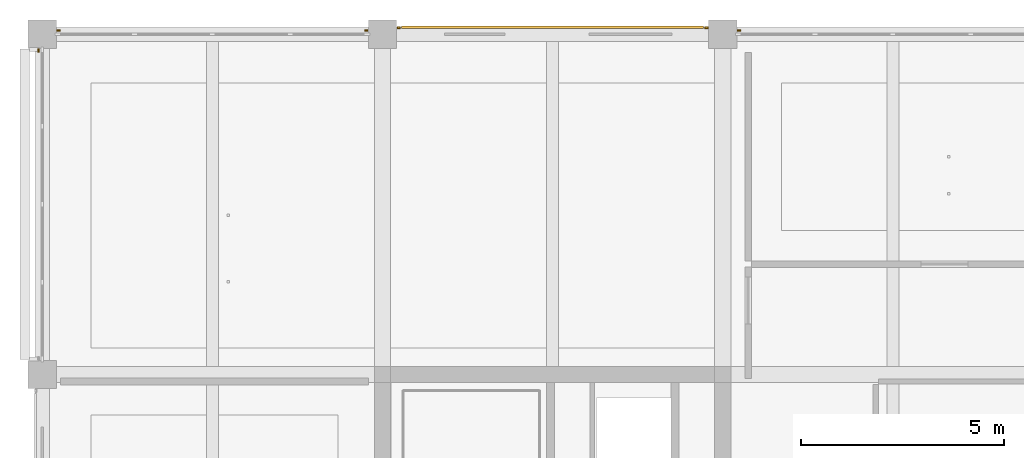
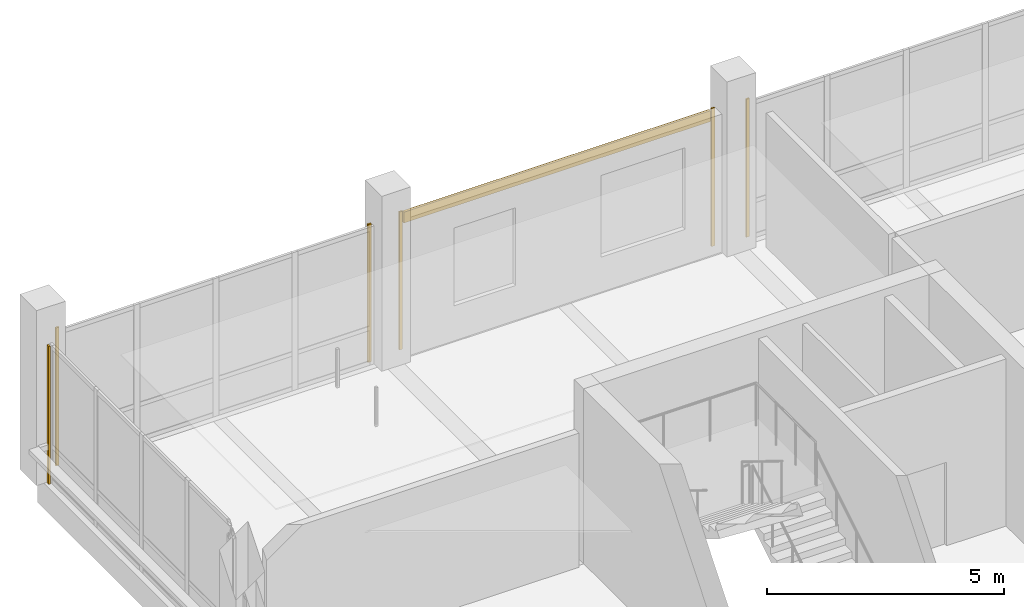
# One storey, part 30 of 32: 7 coverings.
"""IFC4 building model written with IfcOpenShell, lengths in metres."""

from ifc_helpers import new_model, si_unit, direction, frame, origin, origin_2d, place, context, subcontext, project, spatial, rectangle, extrude, material, layer, layer_set, type_object, element, save


model = new_model("IFC4")

# Units and contexts
model_context = context("Model", 3, precision=1e-05, world=origin(), true_north=direction((0.0, 1.0)))
body_context = subcontext(model_context, "Body", "Model", "MODEL_VIEW")
ifc_project = project(units=[si_unit("LENGTHUNIT", "METRE"), si_unit("AREAUNIT", "SQUARE_METRE"), si_unit("VOLUMEUNIT", "CUBIC_METRE"), si_unit("PLANEANGLEUNIT", "RADIAN"), si_unit("MASSUNIT", "GRAM", prefix="KILO")], contexts=[model_context])

# Site, building, storey
site_placement = place(None, origin())
site = spatial("IfcSite", under=ifc_project, at=site_placement, CompositionType="ELEMENT")
building_placement = place(site_placement, origin())
building = spatial("IfcBuilding", under=site, at=building_placement, Name="Telukmera Botanical Conservatory", CompositionType="ELEMENT")
storey_placement = place(building_placement, frame((0.0, 0.0, 42.0)))
storey = spatial("IfcBuildingStorey", under=building, at=storey_placement, Name="L09", CompositionType="ELEMENT", Elevation=42.0)

# Coverings
ifc_material_1 = material(Name="Granite-faced precast concrete C40/50", Category="masonry")
ifc_layer_1 = layer(ifc_material_1, 0.0400390625)
ifc_layer_set_1 = layer_set([ifc_layer_1], Name="Granite-faced precast concrete C40/50")
covering_type_1 = type_object("IfcCoveringType", Name="Granite Precast Column Pier Reveal Casing", PredefinedType="CLADDING", material=ifc_layer_set_1)
for number, where, z_axis, x_axis, name in (
    (1, (50.802001953125, 42.889892578125, 0.0), (0.0, 0.0, 1.0), (1.0, 0.0, 0.0), "Granite Pier Reveal V4:L09:N1 L"),
    (2, (58.39794921875, 42.889892578125, 0.0), (0.0, 0.0, 1.0), (1.0, 0.0, 0.0), "Granite Pier Reveal V4:L09:N1 R"),
    (3, (59.201904296875, 42.9599609375, 0.0), (0.0, 0.0, 1.0), (1.0, 0.0, 0.0), "Granite Pier Reveal V4:L09:N2 L"),
    (4, (66.798095703125, 42.9599609375, 0.0), (0.0, 0.0, 1.0), (1.0, 0.0, 0.0), "Granite Pier Reveal V4:L09:N2 R"),
    (5, (67.60205078125, 42.889892578125, 0.0), (0.0, 0.0, 1.0), (1.0, 0.0, 0.0), "Granite Pier Reveal V4:L09:N3 L"),
    (6, (50.31005859375, 42.39794921875, 0.0), (0.0, 0.0, 1.0), (0.0, 1.0, 0.0), "Granite Pier Reveal V4:L09:W4 R"),
):
    element("IfcCovering", number, at=place(storey_placement, frame(where, z_axis=z_axis, x_axis=x_axis)), inside=storey, type_object=covering_type_1, Name=name, PredefinedType="CLADDING", context=body_context, shape_type="SweptSolid", body=[
        extrude(rectangle(XDim=0.080078125, YDim=0.0400390625, at=origin_2d()), origin(), (0.0, 0.0, 1.0), 3.550048828125),
    ])
ifc_material_2 = material(Name="Terracotta-faced precast concrete C40/50", Category="masonry")
ifc_layer_2 = layer(ifc_material_2, 0.06005859375)
ifc_layer_set_2 = layer_set([ifc_layer_2], Name="Terracotta-faced precast concrete C40/50")
covering_type_2 = type_object("IfcCoveringType", Name="Polychrome Terracotta Facade Band Cladding", PredefinedType="CLADDING", material=ifc_layer_set_2)
covering_placement = place(storey_placement, frame((63.0, 42.969970703125, 3.22998046875), z_axis=(0.0, 0.0, 1.0), x_axis=(1.0, 0.0, 0.0)))
element("IfcCovering", 7, at=covering_placement, inside=storey, type_object=covering_type_2, Name="Polychrome Terracotta Band V4:L09:N2", PredefinedType="CLADDING", context=body_context, shape_type="SweptSolid", body=[
    extrude(rectangle(XDim=7.4560546875, YDim=0.06005859375, at=origin_2d()), origin(), (0.0, 0.0, 1.0), 0.280029296875),
])

save(model, "model.ifc")
